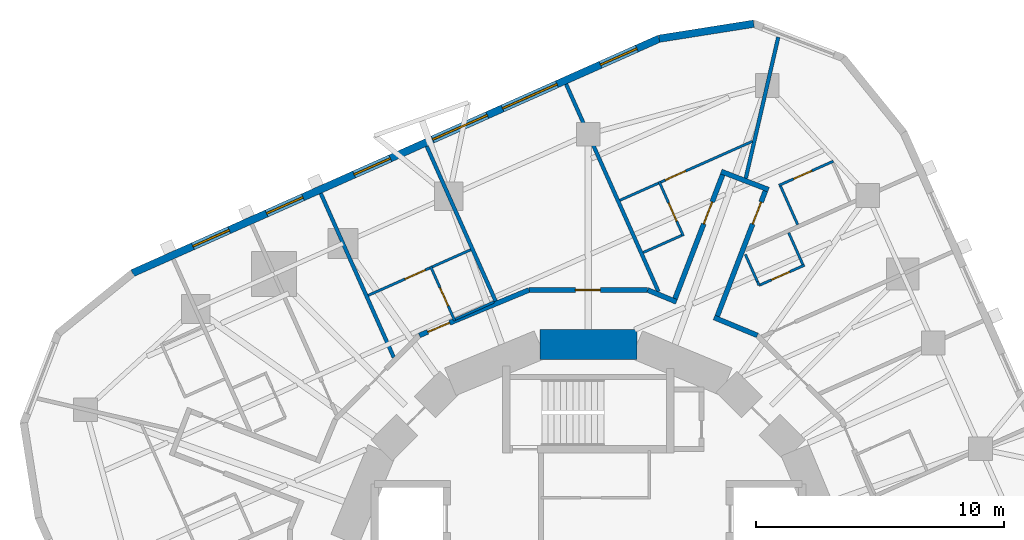
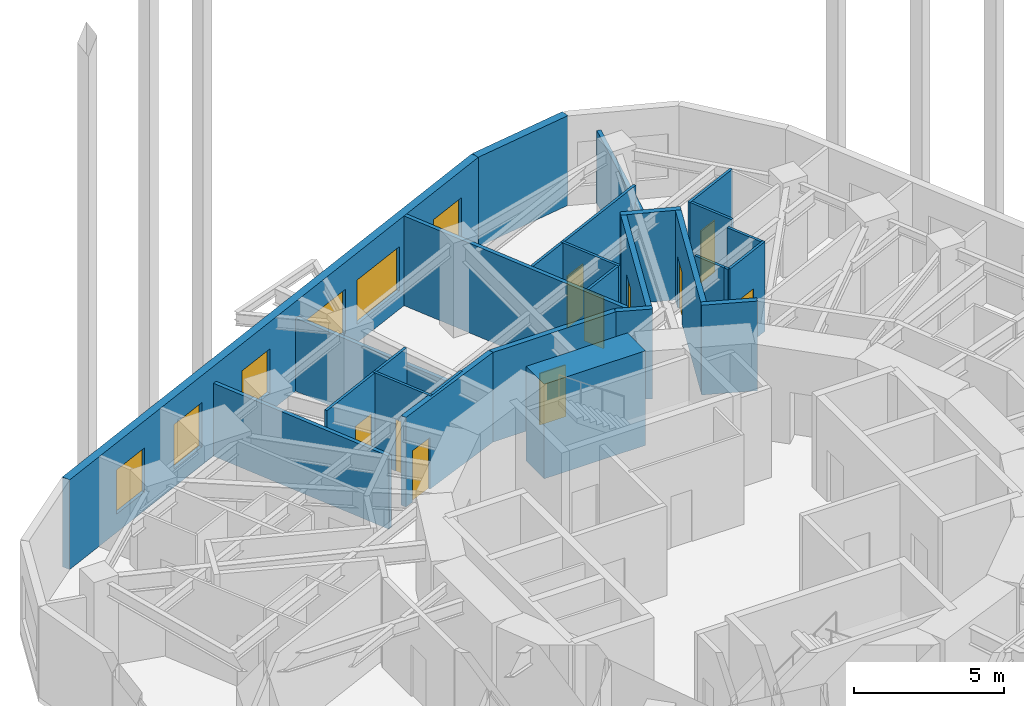
# One storey, part 9 of 11: 28 walls, 10 doors, 6 windows, 16 openings.
"""IFC4 building model written with IfcOpenShell, lengths in metres."""

from ifc_helpers import new_model, si_unit, direction, frame, frame_2d, origin, place, context, subcontext, project, spatial, rectangle, extrude, material, layer, layer_set, type_object, element, fill, save


model = new_model("IFC4")

# Units and contexts
model_context = context("Model", 3, precision=1e-05, world=origin(), true_north=direction((0.0, 1.0)))
body_context = subcontext(model_context, "Body", "Model", "MODEL_VIEW")
ifc_project = project(units=[si_unit("LENGTHUNIT", "METRE"), si_unit("AREAUNIT", "SQUARE_METRE"), si_unit("VOLUMEUNIT", "CUBIC_METRE"), si_unit("PLANEANGLEUNIT", "RADIAN"), si_unit("MASSUNIT", "GRAM", prefix="KILO")], contexts=[model_context])

# Site, building, storey
site_placement = place(None, origin())
site = spatial("IfcSite", under=ifc_project, at=site_placement, CompositionType="ELEMENT")
building_placement = place(site_placement, origin())
building = spatial("IfcBuilding", under=site, at=building_placement, Name="Nakasero Lantern House", CompositionType="ELEMENT")
storey_placement = place(building_placement, frame((0.0, 0.0, 182.449951171875)))
storey = spatial("IfcBuildingStorey", under=building, at=storey_placement, Name="L44", CompositionType="ELEMENT", Elevation=182.449951171875)

# Wall
ifc_material_1 = material(Name="Concrete C50/60", Category="concrete")
ifc_layer_1 = layer(ifc_material_1, 1.199951171875)
ifc_layer_set_1 = layer_set([ifc_layer_1], Name="Core wall 1200")
wall_type_1 = type_object("IfcWallType", Name="Core wall 1200", PredefinedType="SHEAR", material=ifc_layer_set_1)
wall_1_placement = place(storey_placement, frame((1.950927734375, 9.807861328125, 0.0), z_axis=(0.0, 0.0, 1.0), x_axis=(-1.0, 0.0, 0.0)))
element("IfcWall", 1, at=wall_1_placement, inside=storey, type_object=wall_type_1, Name="Core wall L44 facet 4", PredefinedType="SHEAR", context=body_context, shape_type="SweptSolid", body=[
    extrude(rectangle(XDim=3.90185546875, YDim=1.199951171875, at=frame_2d((1.950927734375, 0.0))), origin(), (0.0, 0.0, 1.0), 3.85009765625),
])

# Wall, opening, door
ifc_material_2 = material(Name="Blockwork", Category="masonry")
ifc_layer_2 = layer(ifc_material_2, 0.199951171875)
ifc_layer_set_2 = layer_set([ifc_layer_2], Name="Corridor wall 200")
wall_type_2 = type_object("IfcWallType", Name="Corridor wall 200", PredefinedType="PARTITIONING", material=ifc_layer_set_2)
wall_2_placement = place(storey_placement, frame((-6.802001953125, 10.1796875, 0.0), z_axis=(0.0, 0.0, 1.0), x_axis=(0.923882292998, 0.382676767893, 0.0)))
wall_2 = element("IfcWall", 2, at=wall_2_placement, inside=storey, type_object=wall_type_2, Name="Corridor wall L44 RC11a", PredefinedType="PARTITIONING", context=body_context, shape_type="SweptSolid", body=[
    extrude(rectangle(XDim=4.777099609375, YDim=0.199951171875, at=frame_2d((2.388671875, 0.0))), origin(), (0.0, 0.0, 1.0), 3.650146484375),
])
opening_1_placement = place(wall_2_placement, frame((0.3701171875, 0.0, 0.0)))
opening_1 = element("IfcOpeningElement", 3, at=opening_1_placement, cuts=wall_2, Name="Opening D01", PredefinedType="OPENING", context=body_context, shape_type="SweptSolid", body=[
    extrude(rectangle(XDim=0.949951171875, YDim=2.10009765625, at=frame_2d((0.47509765625, 1.050048828125))), frame((0.0, 0.119873046875, 0.0), z_axis=(0.0, -1.0, 0.0), x_axis=(1.0, 0.0, 0.0)), (0.0, 0.0, 1.0), 0.239990234375),
])
ifc_material_3 = material(Name="Timber C24", Category="wood")
door_type_1 = type_object("IfcDoorType", Name="Bedroom door FD30S 950", OperationType="SINGLE_SWING_LEFT", PredefinedType="DOOR", material=ifc_material_3)
door_1_placement = place(opening_1_placement, origin())
door_1 = element("IfcDoor", 4, at=door_1_placement, inside=storey, type_object=door_type_1, Name="Door L44 D1-03", OperationType="SINGLE_SWING_LEFT", OverallHeight=2.10009765625, OverallWidth=0.949951171875, PredefinedType="DOOR", context=body_context, shape_type="SweptSolid", body=[
    extrude(rectangle(XDim=0.949951171875, YDim=2.10009765625, at=frame_2d((0.47509765625, 1.050048828125))), frame((0.0, 0.02490234375, 0.0), z_axis=(0.0, -1.0, 0.0), x_axis=(1.0, 0.0, 0.0)), (0.0, 0.0, 1.0), 0.050048828125),
])
fill(opening_1, door_1)

wall_3_placement = place(storey_placement, frame((-2.388427734375, 12.0078125, 0.0), z_axis=(0.0, 0.0, 1.0), x_axis=(1.0, 0.0, 0.0)))
wall_3 = element("IfcWall", 5, at=wall_3_placement, inside=storey, type_object=wall_type_2, Name="Corridor wall L44 RC12a", PredefinedType="PARTITIONING", context=body_context, shape_type="SweptSolid", body=[
    extrude(rectangle(XDim=4.77685546875, YDim=0.199951171875, at=frame_2d((2.388427734375, 0.0))), origin(), (0.0, 0.0, 1.0), 3.650146484375),
])
opening_2_placement = place(wall_3_placement, frame((1.8701171875, 0.0, 0.0)))
opening_2 = element("IfcOpeningElement", 6, at=opening_2_placement, cuts=wall_3, Name="Opening D03", PredefinedType="OPENING", context=body_context, shape_type="SweptSolid", body=[
    extrude(rectangle(XDim=1.0, YDim=2.10009765625, at=frame_2d((0.5, 1.050048828125))), frame((0.0, 0.119873046875, 0.0), z_axis=(0.0, -1.0, 0.0), x_axis=(1.0, 0.0, 0.0)), (0.0, 0.0, 1.0), 0.239990234375),
])
ifc_material_4 = material(Name="Timber C24", Category="wood")
door_type_2 = type_object("IfcDoorType", Name="Lounge door FD30S 1000", OperationType="SINGLE_SWING_LEFT", PredefinedType="DOOR", material=ifc_material_4)
door_2_placement = place(opening_2_placement, origin())
door_2 = element("IfcDoor", 7, at=door_2_placement, inside=storey, type_object=door_type_2, Name="Door L44 DK1", OperationType="SINGLE_SWING_LEFT", OverallHeight=2.10009765625, OverallWidth=1.0, PredefinedType="DOOR", context=body_context, shape_type="SweptSolid", body=[
    extrude(rectangle(XDim=1.0, YDim=2.10009765625, at=frame_2d((0.5, 1.050048828125))), frame((0.0, 0.02490234375, 0.0), z_axis=(0.0, -1.0, 0.0), x_axis=(1.0, 0.0, 0.0)), (0.0, 0.0, 1.0), 0.050048828125),
])
fill(opening_2, door_2)

# Walls
wall_4_placement = place(storey_placement, frame((2.388427734375, 12.0078125, 0.0), z_axis=(0.0, 0.0, 1.0), x_axis=(0.923910050561, -0.382609746966, 0.0)))
element("IfcWall", 8, at=wall_4_placement, inside=storey, type_object=wall_type_2, Name="Corridor wall L44 RC13a", PredefinedType="PARTITIONING", context=body_context, shape_type="SweptSolid", body=[
    extrude(rectangle(XDim=1.25390625, YDim=0.199951171875, at=frame_2d((0.626953125, 0.0))), origin(), (0.0, 0.0, 1.0), 3.650146484375),
])
wall_5_placement = place(storey_placement, frame((5.0625, 10.900146484375, 0.0), z_axis=(0.0, 0.0, 1.0), x_axis=(0.923891984969, -0.38265336809, 0.0)))
element("IfcWall", 9, at=wall_5_placement, inside=storey, type_object=wall_type_2, Name="Corridor wall L44 RC13b", PredefinedType="PARTITIONING", context=body_context, shape_type="SweptSolid", body=[
    extrude(rectangle(XDim=1.8828125, YDim=0.199951171875, at=frame_2d((0.94140625, 0.0))), origin(), (0.0, 0.0, 1.0), 3.650146484375),
])

# Wall, opening, door
wall_6_placement = place(storey_placement, frame((5.155029296875, 10.862060546875, 0.0), z_axis=(0.0, 0.0, 1.0), x_axis=(0.35837805422, 0.933576547613, 0.0)))
wall_6 = element("IfcWall", 10, at=wall_6_placement, inside=storey, type_object=wall_type_2, Name="Corridor wall L44 SP0a", PredefinedType="PARTITIONING", context=body_context, shape_type="SweptSolid", body=[
    extrude(rectangle(XDim=5.689697265625, YDim=0.199951171875, at=frame_2d((2.8447265625, 0.0))), origin(), (0.0, 0.0, 1.0), 3.650146484375),
])
opening_3_placement = place(wall_6_placement, frame((4.070068359375, 0.0, 0.0)))
opening_3 = element("IfcOpeningElement", 11, at=opening_3_placement, cuts=wall_6, Name="Opening D01", PredefinedType="OPENING", context=body_context, shape_type="SweptSolid", body=[
    extrude(rectangle(XDim=0.949951171875, YDim=2.10009765625, at=frame_2d((0.47509765625, 1.050048828125))), frame((0.0, 0.119873046875, 0.0), z_axis=(0.0, -1.0, 0.0), x_axis=(1.0, 0.0, 0.0)), (0.0, 0.0, 1.0), 0.239990234375),
])
door_3_placement = place(opening_3_placement, origin())
door_3 = element("IfcDoor", 12, at=door_3_placement, inside=storey, type_object=door_type_1, Name="Door L44 D0-06", OperationType="SINGLE_SWING_RIGHT", OverallHeight=2.10009765625, OverallWidth=0.949951171875, PredefinedType="DOOR", context=body_context, shape_type="SweptSolid", body=[
    extrude(rectangle(XDim=0.949951171875, YDim=2.10009765625, at=frame_2d((0.47509765625, 1.050048828125))), frame((0.0, 0.02490234375, 0.0), z_axis=(0.0, -1.0, 0.0), x_axis=(1.0, 0.0, 0.0)), (0.0, 0.0, 1.0), 0.050048828125),
])
fill(opening_3, door_3)

wall_7_placement = place(storey_placement, frame((3.454345703125, 11.56640625, 0.0), z_axis=(0.0, 0.0, 1.0), x_axis=(0.358401938933, 0.933567378484, 0.0)))
wall_7 = element("IfcWall", 13, at=wall_7_placement, inside=storey, type_object=wall_type_2, Name="Corridor wall L44 SP0b", PredefinedType="PARTITIONING", context=body_context, shape_type="SweptSolid", body=[
    extrude(rectangle(XDim=5.6416015625, YDim=0.199951171875, at=frame_2d((2.82080078125, 0.0))), origin(), (0.0, 0.0, 1.0), 3.650146484375),
])
opening_4_placement = place(wall_7_placement, frame((3.320068359375, 0.0, 0.0)))
opening_4 = element("IfcOpeningElement", 14, at=opening_4_placement, cuts=wall_7, Name="Opening D01", PredefinedType="OPENING", context=body_context, shape_type="SweptSolid", body=[
    extrude(rectangle(XDim=0.949951171875, YDim=2.10009765625, at=frame_2d((0.47509765625, 1.050048828125))), frame((0.0, 0.119873046875, 0.0), z_axis=(0.0, -1.0, 0.0), x_axis=(1.0, 0.0, 0.0)), (0.0, 0.0, 1.0), 0.239990234375),
])
door_4_placement = place(opening_4_placement, origin())
door_4 = element("IfcDoor", 15, at=door_4_placement, inside=storey, type_object=door_type_1, Name="Door L44 D1-00", OperationType="SINGLE_SWING_RIGHT", OverallHeight=2.10009765625, OverallWidth=0.949951171875, PredefinedType="DOOR", context=body_context, shape_type="SweptSolid", body=[
    extrude(rectangle(XDim=0.949951171875, YDim=2.10009765625, at=frame_2d((0.47509765625, 1.050048828125))), frame((0.0, 0.02490234375, 0.0), z_axis=(0.0, -1.0, 0.0), x_axis=(1.0, 0.0, 0.0)), (0.0, 0.0, 1.0), 0.050048828125),
])
fill(opening_4, door_4)

# Wall
wall_8_placement = place(storey_placement, frame((7.25146484375, 16.044677734375, 0.0), z_axis=(0.0, 0.0, 1.0), x_axis=(-0.933545964475, 0.358457713283, 0.0)))
element("IfcWall", 16, at=wall_8_placement, inside=storey, type_object=wall_type_2, Name="Corridor wall L44 SP0e", PredefinedType="PARTITIONING", context=body_context, shape_type="SweptSolid", body=[
    extrude(rectangle(XDim=2.039794921875, YDim=0.199951171875, at=frame_2d((1.02001953125, 0.0))), origin(), (0.0, 0.0, 1.0), 3.650146484375),
])

# Wall, opening, door
ifc_material_5 = material(Name="Blockwork", Category="masonry")
ifc_layer_3 = layer(ifc_material_5, 0.10009765625)
ifc_layer_set_3 = layer_set([ifc_layer_3], Name="En-suite wall 100")
wall_type_3 = type_object("IfcWallType", Name="En-suite wall 100", PredefinedType="PARTITIONING", material=ifc_layer_set_3)
wall_9_placement = place(storey_placement, frame((6.87158203125, 12.19384765625, 0.0), z_axis=(0.0, 0.0, 1.0), x_axis=(0.913549606868, 0.406727323635, 0.0)))
wall_9 = element("IfcWall", 17, at=wall_9_placement, inside=storey, type_object=wall_type_3, Name="En-suite wall L44 ES0-05", PredefinedType="PARTITIONING", context=body_context, shape_type="SweptSolid", body=[
    extrude(rectangle(XDim=2.0, YDim=0.10009765625, at=frame_2d((1.0, 0.0))), origin(), (0.0, 0.0, 1.0), 3.650146484375),
])
opening_5_placement = place(wall_9_placement, frame((0.550048828125, 0.0, 0.0)))
opening_5 = element("IfcOpeningElement", 18, at=opening_5_placement, cuts=wall_9, Name="Opening D02", PredefinedType="OPENING", context=body_context, shape_type="SweptSolid", body=[
    extrude(rectangle(XDim=0.800048828125, YDim=2.10009765625, at=frame_2d((0.39990234375, 1.050048828125))), frame((0.0, 0.070068359375, 0.0), z_axis=(0.0, -1.0, 0.0), x_axis=(1.0, 0.0, 0.0)), (0.0, 0.0, 1.0), 0.14013671875),
])
ifc_material_6 = material(Name="Timber C24", Category="wood")
door_type_3 = type_object("IfcDoorType", Name="En-suite door 800", OperationType="SINGLE_SWING_RIGHT", PredefinedType="DOOR", material=ifc_material_6)
door_5_placement = place(opening_5_placement, origin())
door_5 = element("IfcDoor", 19, at=door_5_placement, inside=storey, type_object=door_type_3, Name="Door L44 DE0-05", OperationType="SINGLE_SWING_LEFT", OverallHeight=2.10009765625, OverallWidth=0.800048828125, PredefinedType="DOOR", context=body_context, shape_type="SweptSolid", body=[
    extrude(rectangle(XDim=0.800048828125, YDim=2.10009765625, at=frame_2d((0.39990234375, 1.050048828125))), frame((0.0, 0.02490234375, 0.0), z_axis=(0.0, -1.0, 0.0), x_axis=(1.0, 0.0, 0.0)), (0.0, 0.0, 1.0), 0.050048828125),
])
fill(opening_5, door_5)

# Wall
wall_10_placement = place(storey_placement, frame((8.632568359375, 13.032470703125, 0.0), z_axis=(0.0, 0.0, 1.0), x_axis=(-0.406656150203, 0.91358129113, 0.0)))
element("IfcWall", 20, at=wall_10_placement, inside=storey, type_object=wall_type_3, Name="En-suite wall L44 EE0-05", PredefinedType="PARTITIONING", context=body_context, shape_type="SweptSolid", body=[
    extrude(rectangle(XDim=1.400146484375, YDim=0.10009765625, at=frame_2d((0.7001953125, 0.0))), origin(), (0.0, 0.0, 1.0), 3.650146484375),
])

# Wall, opening, door
wall_11_placement = place(storey_placement, frame((7.66748046875, 16.215087890625, 0.0), z_axis=(0.0, 0.0, 1.0), x_axis=(0.913530294257, 0.40677069889, 0.0)))
wall_11 = element("IfcWall", 21, at=wall_11_placement, inside=storey, type_object=wall_type_3, Name="En-suite wall L44 ES0-06", PredefinedType="PARTITIONING", context=body_context, shape_type="SweptSolid", body=[
    extrude(rectangle(XDim=2.400146484375, YDim=0.10009765625, at=frame_2d((1.2001953125, 0.0))), origin(), (0.0, 0.0, 1.0), 3.650146484375),
])
opening_6_placement = place(wall_11_placement, frame((0.64990234375, 0.0, 0.0)))
opening_6 = element("IfcOpeningElement", 22, at=opening_6_placement, cuts=wall_11, Name="Opening D02", PredefinedType="OPENING", context=body_context, shape_type="SweptSolid", body=[
    extrude(rectangle(XDim=0.800048828125, YDim=2.10009765625, at=frame_2d((0.39990234375, 1.050048828125))), frame((0.0, 0.070068359375, 0.0), z_axis=(0.0, -1.0, 0.0), x_axis=(1.0, 0.0, 0.0)), (0.0, 0.0, 1.0), 0.14013671875),
])
door_6_placement = place(opening_6_placement, origin())
door_6 = element("IfcDoor", 23, at=door_6_placement, inside=storey, type_object=door_type_3, Name="Door L44 DE0-06", OperationType="SINGLE_SWING_LEFT", OverallHeight=2.10009765625, OverallWidth=0.800048828125, PredefinedType="DOOR", context=body_context, shape_type="SweptSolid", body=[
    extrude(rectangle(XDim=0.800048828125, YDim=2.10009765625, at=frame_2d((0.39990234375, 1.050048828125))), frame((0.0, 0.02490234375, 0.0), z_axis=(0.0, -1.0, 0.0), x_axis=(1.0, 0.0, 0.0)), (0.0, 0.0, 1.0), 0.050048828125),
])
fill(opening_6, door_6)

# Wall
wall_12_placement = place(storey_placement, frame((8.425048828125, 14.63671875, 0.0), z_axis=(0.0, 0.0, 1.0), x_axis=(-0.406671340378, 0.91357452948, 0.0)))
element("IfcWall", 24, at=wall_12_placement, inside=storey, type_object=wall_type_3, Name="En-suite wall L44 EI0-06", PredefinedType="PARTITIONING", context=body_context, shape_type="SweptSolid", body=[
    extrude(rectangle(XDim=1.7001953125, YDim=0.10009765625, at=frame_2d((0.85009765625, 0.0))), origin(), (0.0, 0.0, 1.0), 3.650146484375),
])

# Wall, opening, door
wall_13_placement = place(storey_placement, frame((3.822998046875, 14.180908203125, 0.0), z_axis=(0.0, 0.0, 1.0), x_axis=(-0.40677069889, 0.913530294257, 0.0)))
wall_13 = element("IfcWall", 25, at=wall_13_placement, inside=storey, type_object=wall_type_3, Name="En-suite wall L44 ES1-00", PredefinedType="PARTITIONING", context=body_context, shape_type="SweptSolid", body=[
    extrude(rectangle(XDim=2.400146484375, YDim=0.10009765625, at=frame_2d((1.2001953125, 0.0))), origin(), (0.0, 0.0, 1.0), 3.650146484375),
])
opening_7_placement = place(wall_13_placement, frame((0.64990234375, 0.0, 0.0)))
opening_7 = element("IfcOpeningElement", 26, at=opening_7_placement, cuts=wall_13, Name="Opening D02", PredefinedType="OPENING", context=body_context, shape_type="SweptSolid", body=[
    extrude(rectangle(XDim=0.800048828125, YDim=2.10009765625, at=frame_2d((0.39990234375, 1.050048828125))), frame((0.0, 0.070068359375, 0.0), z_axis=(0.0, -1.0, 0.0), x_axis=(1.0, 0.0, 0.0)), (0.0, 0.0, 1.0), 0.14013671875),
])
door_7_placement = place(opening_7_placement, origin())
door_7 = element("IfcDoor", 27, at=door_7_placement, inside=storey, type_object=door_type_3, Name="Door L44 DE1-00", OperationType="SINGLE_SWING_LEFT", OverallHeight=2.10009765625, OverallWidth=0.800048828125, PredefinedType="DOOR", context=body_context, shape_type="SweptSolid", body=[
    extrude(rectangle(XDim=0.800048828125, YDim=2.10009765625, at=frame_2d((0.39990234375, 1.050048828125))), frame((0.0, 0.02490234375, 0.0), z_axis=(0.0, -1.0, 0.0), x_axis=(1.0, 0.0, 0.0)), (0.0, 0.0, 1.0), 0.050048828125),
])
fill(opening_7, door_7)

# Walls
wall_14_placement = place(storey_placement, frame((2.821533203125, 16.307373046875, 0.0), z_axis=(0.0, 0.0, 1.0), x_axis=(-0.91357452948, -0.406671340378, 0.0)))
element("IfcWall", 28, at=wall_14_placement, inside=storey, type_object=wall_type_3, Name="En-suite wall L44 EE1-00", PredefinedType="PARTITIONING", context=body_context, shape_type="SweptSolid", body=[
    extrude(rectangle(XDim=1.7001953125, YDim=0.10009765625, at=frame_2d((0.85009765625, 0.0))), origin(), (0.0, 0.0, 1.0), 3.650146484375),
])
wall_15_placement = place(storey_placement, frame((3.7568359375, 14.206298828125, 0.0), z_axis=(0.0, 0.0, 1.0), x_axis=(-0.913550776237, -0.406724697108, 0.0)))
element("IfcWall", 29, at=wall_15_placement, inside=storey, type_object=wall_type_3, Name="En-suite wall L44 EI1-00", PredefinedType="PARTITIONING", context=body_context, shape_type="SweptSolid", body=[
    extrude(rectangle(XDim=1.699951171875, YDim=0.10009765625, at=frame_2d((0.85009765625, 0.0))), origin(), (0.0, 0.0, 1.0), 3.650146484375),
])

# Wall, opening, door
wall_16_placement = place(storey_placement, frame((-5.376953125, 10.7685546875, 0.0), z_axis=(0.0, 0.0, 1.0), x_axis=(-0.406685806039, 0.913568090055, 0.0)))
wall_16 = element("IfcWall", 30, at=wall_16_placement, inside=storey, type_object=wall_type_3, Name="En-suite wall L44 ES1-03", PredefinedType="PARTITIONING", context=body_context, shape_type="SweptSolid", body=[
    extrude(rectangle(XDim=2.400146484375, YDim=0.10009765625, at=frame_2d((1.2001953125, 0.0))), origin(), (0.0, 0.0, 1.0), 3.650146484375),
])
opening_8_placement = place(wall_16_placement, frame((0.64990234375, 0.0, 0.0)))
opening_8 = element("IfcOpeningElement", 31, at=opening_8_placement, cuts=wall_16, Name="Opening D02", PredefinedType="OPENING", context=body_context, shape_type="SweptSolid", body=[
    extrude(rectangle(XDim=0.800048828125, YDim=2.10009765625, at=frame_2d((0.39990234375, 1.050048828125))), frame((0.0, 0.070068359375, 0.0), z_axis=(0.0, -1.0, 0.0), x_axis=(1.0, 0.0, 0.0)), (0.0, 0.0, 1.0), 0.14013671875),
])
door_8_placement = place(opening_8_placement, origin())
door_8 = element("IfcDoor", 32, at=door_8_placement, inside=storey, type_object=door_type_3, Name="Door L44 DE1-03", OperationType="SINGLE_SWING_LEFT", OverallHeight=2.10009765625, OverallWidth=0.800048828125, PredefinedType="DOOR", context=body_context, shape_type="SweptSolid", body=[
    extrude(rectangle(XDim=0.800048828125, YDim=2.10009765625, at=frame_2d((0.39990234375, 1.050048828125))), frame((0.0, 0.02490234375, 0.0), z_axis=(0.0, -1.0, 0.0), x_axis=(1.0, 0.0, 0.0)), (0.0, 0.0, 1.0), 0.050048828125),
])
fill(opening_8, door_8)

# Walls
for number, where, z_axis, x_axis, name in (
    (33, (-4.734130859375, 13.627197265625, 0.0), (0.0, 0.0, 1.0), (-0.913550776237, -0.406724697108, 0.0), "En-suite wall L44 EE1-03"),
    (34, (-3.798583984375, 11.526123046875, 0.0), (0.0, 0.0, 1.0), (-0.913550776237, -0.406724697108, 0.0), "En-suite wall L44 EI1-03"),
):
    element("IfcWall", number, at=place(storey_placement, frame(where, z_axis=z_axis, x_axis=x_axis)), inside=storey, type_object=wall_type_3, Name=name, PredefinedType="PARTITIONING", context=body_context, shape_type="SweptSolid", body=[
        extrude(rectangle(XDim=1.699951171875, YDim=0.10009765625, at=frame_2d((0.85009765625, 0.0))), origin(), (0.0, 0.0, 1.0), 3.650146484375),
    ])

# Wall, opening, door
wall_17_placement = place(storey_placement, frame((6.6005859375, 17.989990234375, 0.0), z_axis=(0.0, 0.0, 1.0), x_axis=(-0.91354948676, -0.40672759341, 0.0)))
wall_17 = element("IfcWall", 35, at=wall_17_placement, inside=storey, type_object=wall_type_3, Name="En-suite wall L44 EL1-00", PredefinedType="PARTITIONING", context=body_context, shape_type="SweptSolid", body=[
    extrude(rectangle(XDim=4.03662109375, YDim=0.10009765625, at=frame_2d((2.018310546875, 0.0))), origin(), (0.0, 0.0, 1.0), 3.650146484375),
])
opening_9_placement = place(wall_17_placement, frame((2.936767578125, 0.0, 0.0)))
opening_9 = element("IfcOpeningElement", 36, at=opening_9_placement, cuts=wall_17, Name="Opening D17", PredefinedType="OPENING", context=body_context, shape_type="SweptSolid", body=[
    extrude(rectangle(XDim=0.89990234375, YDim=2.10009765625, at=frame_2d((0.449951171875, 1.050048828125))), frame((0.0, 0.070068359375, 0.0), z_axis=(0.0, -1.0, 0.0), x_axis=(1.0, 0.0, 0.0)), (0.0, 0.0, 1.0), 0.14013671875),
])
ifc_material_7 = material(Name="Timber C24", Category="wood")
door_type_4 = type_object("IfcDoorType", Name="Bedroom door FD30S 900", OperationType="SINGLE_SWING_LEFT", PredefinedType="DOOR", material=ifc_material_7)
door_9_placement = place(opening_9_placement, origin())
door_9 = element("IfcDoor", 37, at=door_9_placement, inside=storey, type_object=door_type_4, Name="Door L44 DL1-00", OperationType="SINGLE_SWING_RIGHT", OverallHeight=2.10009765625, OverallWidth=0.89990234375, PredefinedType="DOOR", context=body_context, shape_type="SweptSolid", body=[
    extrude(rectangle(XDim=0.89990234375, YDim=2.10009765625, at=frame_2d((0.449951171875, 1.050048828125))), frame((0.0, 0.02490234375, 0.0), z_axis=(0.0, -1.0, 0.0), x_axis=(1.0, 0.0, 0.0)), (0.0, 0.0, 1.0), 0.050048828125),
])
fill(opening_9, door_9)

wall_18_placement = place(storey_placement, frame((-6.37841796875, 12.89501953125, 0.0), z_axis=(0.0, 0.0, 1.0), x_axis=(-0.913577816281, -0.406663956603, 0.0)))
wall_18 = element("IfcWall", 38, at=wall_18_placement, inside=storey, type_object=wall_type_3, Name="En-suite wall L44 EL1-03", PredefinedType="PARTITIONING", context=body_context, shape_type="SweptSolid", body=[
    extrude(rectangle(XDim=2.71533203125, YDim=0.10009765625, at=frame_2d((1.357666015625, 0.0))), origin(), (0.0, 0.0, 1.0), 3.650146484375),
])
opening_10_placement = place(wall_18_placement, frame((0.199951171875, 0.0, 0.0)))
opening_10 = element("IfcOpeningElement", 39, at=opening_10_placement, cuts=wall_18, Name="Opening D17", PredefinedType="OPENING", context=body_context, shape_type="SweptSolid", body=[
    extrude(rectangle(XDim=0.89990234375, YDim=2.10009765625, at=frame_2d((0.449951171875, 1.050048828125))), frame((0.0, 0.070068359375, 0.0), z_axis=(0.0, -1.0, 0.0), x_axis=(1.0, 0.0, 0.0)), (0.0, 0.0, 1.0), 0.14013671875),
])
door_10_placement = place(opening_10_placement, origin())
door_10 = element("IfcDoor", 40, at=door_10_placement, inside=storey, type_object=door_type_4, Name="Door L44 DL1-03", OperationType="SINGLE_SWING_LEFT", OverallHeight=2.10009765625, OverallWidth=0.89990234375, PredefinedType="DOOR", context=body_context, shape_type="SweptSolid", body=[
    extrude(rectangle(XDim=0.89990234375, YDim=2.10009765625, at=frame_2d((0.449951171875, 1.050048828125))), frame((0.0, 0.02490234375, 0.0), z_axis=(0.0, -1.0, 0.0), x_axis=(1.0, 0.0, 0.0)), (0.0, 0.0, 1.0), 0.050048828125),
])
fill(opening_10, door_10)

# Walls
wall_19_placement = place(storey_placement, frame((6.31640625, 13.44091796875, 0.0), z_axis=(0.0, 0.0, 1.0), x_axis=(0.406570722702, -0.9136193121, 0.0)))
element("IfcWall", 41, at=wall_19_placement, inside=storey, type_object=wall_type_3, Name="En-suite wall L44 EX000", PredefinedType="PARTITIONING", context=body_context, shape_type="SweptSolid", body=[
    extrude(rectangle(XDim=1.205078125, YDim=0.10009765625, at=frame_2d((0.6025390625, 0.0))), origin(), (0.0, 0.0, 1.0), 3.650146484375),
])
wall_20_placement = place(storey_placement, frame((6.87158203125, 12.19384765625, 0.0), z_axis=(0.0, 0.0, 1.0), x_axis=(-0.407696311466, 0.913117581485, 0.0)))
element("IfcWall", 42, at=wall_20_placement, inside=storey, type_object=wall_type_3, Name="En-suite wall L44 ES0-05R0", PredefinedType="PARTITIONING", context=body_context, shape_type="SweptSolid", body=[
    extrude(rectangle(XDim=0.159912109375, YDim=0.10009765625, at=frame_2d((0.080078125, 0.0))), origin(), (0.0, 0.0, 1.0), 3.650146484375),
])
ifc_material_8 = material(Name="Aluminium rainscreen on blockwork", Category="masonry")
ifc_layer_4 = layer(ifc_material_8, 0.300048828125)
ifc_layer_set_4 = layer_set([ifc_layer_4], Name="Facade wall 300")
wall_type_4 = type_object("IfcWallType", Name="Facade wall 300", PredefinedType="SOLIDWALL", material=ifc_layer_set_4)
wall_21_placement = place(storey_placement, frame((6.65771484375, 22.724365234375, 0.0), z_axis=(0.0, 0.0, 1.0), x_axis=(-0.987687906802, -0.156437203878, 0.0)))
element("IfcWall", 43, at=wall_21_placement, inside=storey, type_object=wall_type_4, Name="Facade wall L44 FW0C3", PredefinedType="SOLIDWALL", context=body_context, shape_type="SweptSolid", body=[
    extrude(rectangle(XDim=3.856201171875, YDim=0.300048828125, at=frame_2d((1.92822265625, 0.0))), origin(), (0.0, 0.0, 1.0), 3.650146484375),
])

# Wall, openings, windows
wall_22_placement = place(storey_placement, frame((2.848876953125, 22.12109375, 0.0), z_axis=(0.0, 0.0, 1.0), x_axis=(-0.913546210851, -0.406734951338, 0.0)))
wall_22 = element("IfcWall", 44, at=wall_22_placement, inside=storey, type_object=wall_type_4, Name="Facade wall L44 FW1S", PredefinedType="SOLIDWALL", context=body_context, shape_type="SweptSolid", body=[
    extrude(rectangle(XDim=23.199951171875, YDim=0.300048828125, at=frame_2d((11.60009765625, 0.0))), origin(), (0.0, 0.0, 1.0), 3.650146484375),
])
opening_11_placement = place(wall_22_placement, frame((0.982421875, 0.0, 0.75)))
opening_11 = element("IfcOpeningElement", 45, at=opening_11_placement, cuts=wall_22, Name="Opening W01", PredefinedType="OPENING", context=body_context, shape_type="SweptSolid", body=[
    extrude(rectangle(XDim=1.60009765625, YDim=1.800048828125, at=frame_2d((0.800048828125, 0.89990234375))), frame((0.0, 0.169921875, 0.0), z_axis=(0.0, -1.0, 0.0), x_axis=(1.0, 0.0, 0.0)), (0.0, 0.0, 1.0), 0.340087890625),
])
opening_12_placement = place(wall_22_placement, frame((11.83984375, 0.0, 0.75)))
opening_12 = element("IfcOpeningElement", 46, at=opening_12_placement, cuts=wall_22, Name="Opening W01", PredefinedType="OPENING", context=body_context, shape_type="SweptSolid", body=[
    extrude(rectangle(XDim=1.60009765625, YDim=1.800048828125, at=frame_2d((0.800048828125, 0.89990234375))), frame((0.0, 0.169921875, 0.0), z_axis=(0.0, -1.0, 0.0), x_axis=(1.0, 0.0, 0.0)), (0.0, 0.0, 1.0), 0.340087890625),
])
opening_13_placement = place(wall_22_placement, frame((15.69140625, 0.0, 0.75)))
opening_13 = element("IfcOpeningElement", 47, at=opening_13_placement, cuts=wall_22, Name="Opening W01", PredefinedType="OPENING", context=body_context, shape_type="SweptSolid", body=[
    extrude(rectangle(XDim=1.60009765625, YDim=1.800048828125, at=frame_2d((0.800048828125, 0.89990234375))), frame((0.0, 0.169921875, 0.0), z_axis=(0.0, -1.0, 0.0), x_axis=(1.0, 0.0, 0.0)), (0.0, 0.0, 1.0), 0.340087890625),
])
opening_14_placement = place(wall_22_placement, frame((18.940185546875, 0.0, 0.75)))
opening_14 = element("IfcOpeningElement", 48, at=opening_14_placement, cuts=wall_22, Name="Opening W01", PredefinedType="OPENING", context=body_context, shape_type="SweptSolid", body=[
    extrude(rectangle(XDim=1.60009765625, YDim=1.800048828125, at=frame_2d((0.800048828125, 0.89990234375))), frame((0.0, 0.169921875, 0.0), z_axis=(0.0, -1.0, 0.0), x_axis=(1.0, 0.0, 0.0)), (0.0, 0.0, 1.0), 0.340087890625),
])
opening_15_placement = place(wall_22_placement, frame((4.500244140625, 0.0, 0.75)))
opening_15 = element("IfcOpeningElement", 49, at=opening_15_placement, cuts=wall_22, Name="Opening W03", PredefinedType="OPENING", context=body_context, shape_type="SweptSolid", body=[
    extrude(rectangle(XDim=2.39990234375, YDim=1.800048828125, at=frame_2d((1.199951171875, 0.89990234375))), frame((0.0, 0.169921875, 0.0), z_axis=(0.0, -1.0, 0.0), x_axis=(1.0, 0.0, 0.0)), (0.0, 0.0, 1.0), 0.340087890625),
])
opening_16_placement = place(wall_22_placement, frame((7.571533203125, 0.0, 0.75)))
opening_16 = element("IfcOpeningElement", 50, at=opening_16_placement, cuts=wall_22, Name="Opening W03", PredefinedType="OPENING", context=body_context, shape_type="SweptSolid", body=[
    extrude(rectangle(XDim=2.39990234375, YDim=1.800048828125, at=frame_2d((1.199951171875, 0.89990234375))), frame((0.0, 0.169921875, 0.0), z_axis=(0.0, -1.0, 0.0), x_axis=(1.0, 0.0, 0.0)), (0.0, 0.0, 1.0), 0.340087890625),
])
ifc_material_9 = material(Name="Aluminium 6063-T6 and glass", Category="aluminium")
window_type_1 = type_object("IfcWindowType", Name="Bedroom window 1600x1800", PartitioningType="SINGLE_PANEL", PredefinedType="WINDOW", material=ifc_material_9)
window_1_placement = place(opening_11_placement, origin())
window_1 = element("IfcWindow", 51, at=window_1_placement, inside=storey, type_object=window_type_1, Name="Window L44 WN1-00", OverallHeight=1.800048828125, OverallWidth=1.60009765625, PartitioningType="SINGLE_PANEL", PredefinedType="WINDOW", context=body_context, shape_type="SweptSolid", body=[
    extrude(rectangle(XDim=1.60009765625, YDim=1.800048828125, at=frame_2d((0.800048828125, 0.89990234375))), frame((0.0, 0.030029296875, 0.0), z_axis=(0.0, -1.0, 0.0), x_axis=(1.0, 0.0, 0.0)), (0.0, 0.0, 1.0), 0.06005859375),
])
fill(opening_11, window_1)
window_2_placement = place(opening_12_placement, origin())
window_2 = element("IfcWindow", 52, at=window_2_placement, inside=storey, type_object=window_type_1, Name="Window L44 WN1-03", OverallHeight=1.800048828125, OverallWidth=1.60009765625, PartitioningType="SINGLE_PANEL", PredefinedType="WINDOW", context=body_context, shape_type="SweptSolid", body=[
    extrude(rectangle(XDim=1.60009765625, YDim=1.800048828125, at=frame_2d((0.800048828125, 0.89990234375))), frame((0.0, 0.030029296875, 0.0), z_axis=(0.0, -1.0, 0.0), x_axis=(1.0, 0.0, 0.0)), (0.0, 0.0, 1.0), 0.06005859375),
])
fill(opening_12, window_2)
window_3_placement = place(opening_13_placement, origin())
window_3 = element("IfcWindow", 53, at=window_3_placement, inside=storey, type_object=window_type_1, Name="Window L44 WN1-04", OverallHeight=1.800048828125, OverallWidth=1.60009765625, PartitioningType="SINGLE_PANEL", PredefinedType="WINDOW", context=body_context, shape_type="SweptSolid", body=[
    extrude(rectangle(XDim=1.60009765625, YDim=1.800048828125, at=frame_2d((0.800048828125, 0.89990234375))), frame((0.0, 0.030029296875, 0.0), z_axis=(0.0, -1.0, 0.0), x_axis=(1.0, 0.0, 0.0)), (0.0, 0.0, 1.0), 0.06005859375),
])
fill(opening_13, window_3)
window_4_placement = place(opening_14_placement, origin())
window_4 = element("IfcWindow", 54, at=window_4_placement, inside=storey, type_object=window_type_1, Name="Window L44 WN1-05", OverallHeight=1.800048828125, OverallWidth=1.60009765625, PartitioningType="SINGLE_PANEL", PredefinedType="WINDOW", context=body_context, shape_type="SweptSolid", body=[
    extrude(rectangle(XDim=1.60009765625, YDim=1.800048828125, at=frame_2d((0.800048828125, 0.89990234375))), frame((0.0, 0.030029296875, 0.0), z_axis=(0.0, -1.0, 0.0), x_axis=(1.0, 0.0, 0.0)), (0.0, 0.0, 1.0), 0.06005859375),
])
fill(opening_14, window_4)
ifc_material_10 = material(Name="Aluminium 6063-T6 and glass", Category="aluminium")
window_type_2 = type_object("IfcWindowType", Name="Lounge window 2400x1800", PartitioningType="SINGLE_PANEL", PredefinedType="WINDOW", material=ifc_material_10)
window_5_placement = place(opening_15_placement, origin())
window_5 = element("IfcWindow", 55, at=window_5_placement, inside=storey, type_object=window_type_2, Name="Window L44 WK1", OverallHeight=1.800048828125, OverallWidth=2.39990234375, PartitioningType="SINGLE_PANEL", PredefinedType="WINDOW", context=body_context, shape_type="SweptSolid", body=[
    extrude(rectangle(XDim=2.39990234375, YDim=1.800048828125, at=frame_2d((1.199951171875, 0.89990234375))), frame((0.0, 0.030029296875, 0.0), z_axis=(0.0, -1.0, 0.0), x_axis=(1.0, 0.0, 0.0)), (0.0, 0.0, 1.0), 0.06005859375),
])
fill(opening_15, window_5)
window_6_placement = place(opening_16_placement, origin())
window_6 = element("IfcWindow", 56, at=window_6_placement, inside=storey, type_object=window_type_2, Name="Window L44 WL1", OverallHeight=1.800048828125, OverallWidth=2.39990234375, PartitioningType="SINGLE_PANEL", PredefinedType="WINDOW", context=body_context, shape_type="SweptSolid", body=[
    extrude(rectangle(XDim=2.39990234375, YDim=1.800048828125, at=frame_2d((1.199951171875, 0.89990234375))), frame((0.0, 0.030029296875, 0.0), z_axis=(0.0, -1.0, 0.0), x_axis=(1.0, 0.0, 0.0)), (0.0, 0.0, 1.0), 0.06005859375),
])
fill(opening_16, window_6)

# Walls
ifc_material_11 = material(Name="Blockwork", Category="masonry")
ifc_layer_5 = layer(ifc_material_11, 0.14990234375)
ifc_layer_set_5 = layer_set([ifc_layer_5], Name="Party wall 150")
wall_type_5 = type_object("IfcWallType", Name="Party wall 150", PredefinedType="PARTITIONING", material=ifc_layer_set_5)
wall_23_placement = place(storey_placement, frame((6.335205078125, 16.503662109375, 0.0), z_axis=(0.0, 0.0, 1.0), x_axis=(0.224476872244, 0.974479416831, 0.0)))
element("IfcWall", 57, at=wall_23_placement, inside=storey, type_object=wall_type_5, Name="Party wall L44 PW1-00", PredefinedType="PARTITIONING", context=body_context, shape_type="SweptSolid", body=[
    extrude(rectangle(XDim=5.8251953125, YDim=0.14990234375, at=frame_2d((2.91259765625, 0.0))), origin(), (0.0, 0.0, 1.0), 2.966552734375),
])
wall_24_placement = place(storey_placement, frame((2.824951171875, 11.935302734375, 0.0), z_axis=(0.0, 0.0, 1.0), x_axis=(-0.40672291788, 0.91355156837, 0.0)))
element("IfcWall", 58, at=wall_24_placement, inside=storey, type_object=wall_type_5, Name="Party wall L44 PW1-01", PredefinedType="PARTITIONING", context=body_context, shape_type="SweptSolid", body=[
    extrude(rectangle(XDim=9.1455078125, YDim=0.14990234375, at=frame_2d((4.57275390625, 0.0))), origin(), (0.0, 0.0, 1.0), 3.650146484375),
])
wall_25_placement = place(storey_placement, frame((-3.7314453125, 11.559814453125, 0.0), z_axis=(0.0, 0.0, 1.0), x_axis=(-0.406739408224, 0.913544226514, 0.0)))
element("IfcWall", 59, at=wall_25_placement, inside=storey, type_object=wall_type_5, Name="Party wall L44 PW1-03", PredefinedType="PARTITIONING", context=body_context, shape_type="SweptSolid", body=[
    extrude(rectangle(XDim=6.82177734375, YDim=0.14990234375, at=frame_2d((3.410888671875, 0.0))), origin(), (0.0, 0.0, 1.0), 2.966552734375),
])
wall_26_placement = place(storey_placement, frame((-7.829345703125, 9.293701171875, 0.0), z_axis=(0.0, 0.0, 1.0), x_axis=(-0.406759125496, 0.913535447493, 0.0)))
element("IfcWall", 60, at=wall_26_placement, inside=storey, type_object=wall_type_5, Name="Party wall L44 PW1-04", PredefinedType="PARTITIONING", context=body_context, shape_type="SweptSolid", body=[
    extrude(rectangle(XDim=7.225341796875, YDim=0.14990234375, at=frame_2d((3.61279296875, 0.0))), origin(), (0.0, 0.0, 1.0), 2.966552734375),
])

save(model, "model.ifc")
